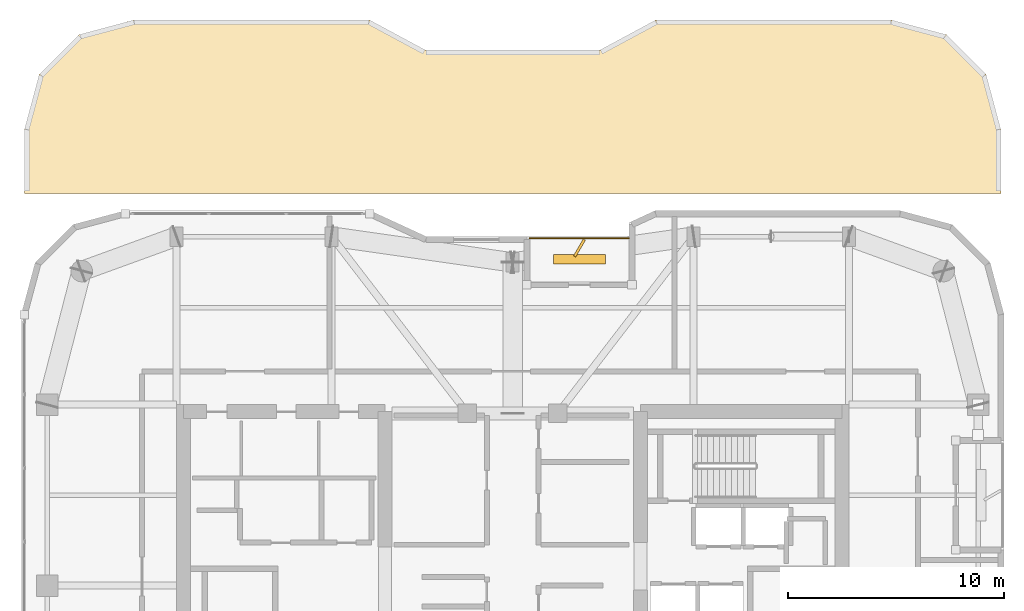
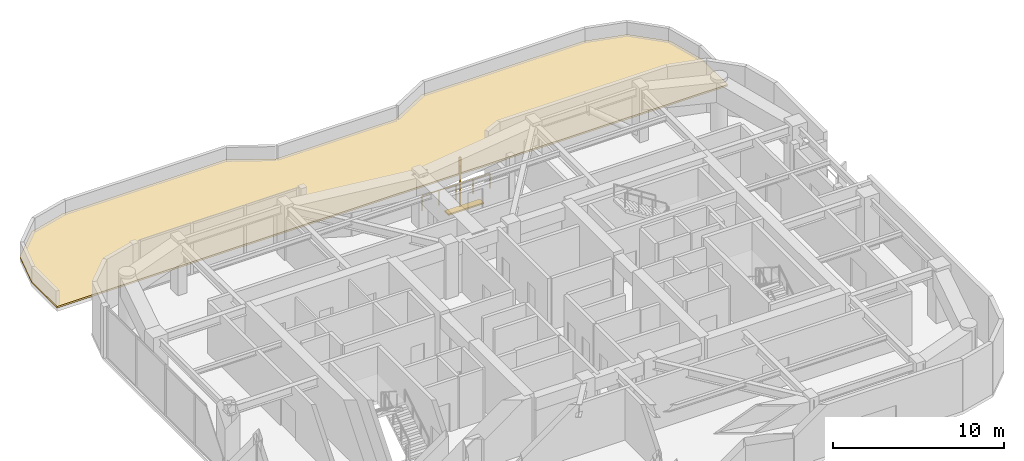
# One storey, part 16 of 16: 2 shading devices, 1 covering, 1 railing.
"""IFC4 building model written with IfcOpenShell, lengths in metres."""

from ifc_helpers import new_model, si_unit, direction, frame, origin, origin_2d, place, context, subcontext, project, spatial, polyline, rectangle, outline, extrude, material, layer, layer_set, type_object, element, save


model = new_model("IFC4")

# Units and contexts
model_context = context("Model", 3, precision=1e-05, world=origin(), true_north=direction((0.0, 1.0)))
body_context = subcontext(model_context, "Body", "Model", "MODEL_VIEW")
ifc_project = project(units=[si_unit("LENGTHUNIT", "METRE"), si_unit("AREAUNIT", "SQUARE_METRE"), si_unit("VOLUMEUNIT", "CUBIC_METRE"), si_unit("PLANEANGLEUNIT", "RADIAN"), si_unit("MASSUNIT", "GRAM", prefix="KILO")], contexts=[model_context])

# Site, building, storey
site_placement = place(None, origin())
site = spatial("IfcSite", under=ifc_project, at=site_placement, CompositionType="ELEMENT")
building_placement = place(site_placement, origin())
building = spatial("IfcBuilding", under=site, at=building_placement, Name="Kiyonajd Concourse Tower", CompositionType="ELEMENT")
storey_placement = place(building_placement, frame((0.0, 0.0, 255.0)))
storey = spatial("IfcBuildingStorey", under=building, at=storey_placement, Name="L64", CompositionType="ELEMENT", Elevation=255.0)

# Covering
ifc_material_1 = material(Name="Engineered Hinoki Wood-Effect Architectural Tile", Category="wood")
ifc_layer = layer(ifc_material_1, 0.1201171875)
ifc_layer_set = layer_set([ifc_layer], Name="Engineered Hinoki Wood-Effect Architectural Tile")
covering_type = type_object("IfcCoveringType", Name="CV-ROOF-MEMB", PredefinedType="ROOFING", material=ifc_layer_set)
covering_placement = place(storey_placement, origin())
element("IfcCovering", 1, at=covering_placement, inside=storey, type_object=covering_type, Name="L64 Setback Roof Membrane", PredefinedType="ROOFING", context=body_context, shape_type="SweptSolid", body=[
    extrude(outline(polyline([(26.031005859375, 59.721923828125), (27.8779296875, 61.569091796875), (30.419921875, 62.25), (41.362060546875, 62.25), (43.928955078125, 60.867919921875), (44.0, 60.85009765625), (52.014892578125, 60.85107421875), (52.071044921875, 60.867919921875), (54.637939453125, 62.25), (65.580078125, 62.25), (68.1220703125, 61.569091796875), (69.968994140625, 59.721923828125), (70.64990234375, 57.179931640625), (70.64990234375, 54.199951171875), (25.35009765625, 54.199951171875), (25.35009765625, 57.179931640625), (26.031005859375, 59.721923828125)])), origin(), (0.0, 0.0, 1.0), 0.1201171875),
])

# Railing
ifc_material_2 = material(Name="Thermally Broken Anodised Aluminium", Category="aluminium")
railing_type = type_object("IfcRailingType", Name="RL-GRD-LOG", PredefinedType="GUARDRAIL", material=ifc_material_2)
railing_placement = place(storey_placement, frame((53.39990234375, 52.1201171875, 0.0)))
element("IfcRailing", 2, at=railing_placement, inside=storey, type_object=railing_type, Name="L64 Engawa Loggia Perimeter Guard LOG-N", PredefinedType="GUARDRAIL", context=body_context, shape_type="SweptSolid", body=[
    extrude(rectangle(XDim=0.048095703125, YDim=0.048095703125, at=origin_2d()), frame((0.0, 0.0, 1.076171875), z_axis=(-1.0, 0.0, 0.0), x_axis=(0.0, -1.0, 0.0)), (0.0, 0.0, 1.0), 4.599853515625),
    extrude(rectangle(XDim=0.0419921875, YDim=0.0419921875, at=origin_2d()), origin(), (0.0, 0.0, 1.0), 1.052001953125),
    extrude(rectangle(XDim=0.0419921875, YDim=0.0419921875, at=origin_2d()), frame((-1.14990234375, 0.0, 0.0)), (0.0, 0.0, 1.0), 1.052001953125),
    extrude(rectangle(XDim=0.0419921875, YDim=0.0419921875, at=origin_2d()), frame((-2.2998046875, 0.0, 0.0)), (0.0, 0.0, 1.0), 1.052001953125),
    extrude(rectangle(XDim=0.0419921875, YDim=0.0419921875, at=origin_2d()), frame((-3.449951171875, 0.0, 0.0)), (0.0, 0.0, 1.0), 1.052001953125),
    extrude(rectangle(XDim=0.0419921875, YDim=0.0419921875, at=origin_2d()), frame((-4.599853515625, 0.0, 0.0)), (0.0, 0.0, 1.0), 1.052001953125),
])

# Shading devices
ifc_material_3 = material(Name="Precast concrete C50/60", Category="concrete")
shading_device_type_1 = type_object("IfcShadingDeviceType", Name="SH-FIN-900", PredefinedType="USERDEFINED", material=ifc_material_3)
shading_device_1_placement = place(storey_placement, frame((51.10009765625, 51.669921875, 0.0), z_axis=(0.0, 0.0, 1.0), x_axis=(0.5, 0.866025403784, 0.0)))
element("IfcShadingDevice", 3, at=shading_device_1_placement, inside=storey, type_object=shading_device_type_1, Name="L64 Angled Koshi Solar Fin LOG-N", ObjectType="FIN", PredefinedType="USERDEFINED", context=body_context, shape_type="SweptSolid", body=[
    extrude(rectangle(XDim=0.89990234375, YDim=0.1201171875, at=origin_2d()), origin(), (0.0, 0.0, 1.0), 3.0),
])
shading_device_type_2 = type_object("IfcShadingDeviceType", Name="SH-LVR-600", PredefinedType="JALOUSIE", material=ifc_material_2)
shading_device_2_placement = place(storey_placement, frame((51.10009765625, 51.14990234375, 0.0), z_axis=(0.0, 0.0, 1.0), x_axis=(1.0, 0.0, 0.0)))
element("IfcShadingDevice", 4, at=shading_device_2_placement, inside=storey, type_object=shading_device_type_2, Name="L64 Loggia Threshold Louver LOG-N", PredefinedType="JALOUSIE", context=body_context, shape_type="SweptSolid", body=[
    extrude(rectangle(XDim=2.39990234375, YDim=0.449951171875, at=origin_2d()), origin(), (0.0, 0.0, 1.0), 0.10009765625),
])

save(model, "model.ifc")
